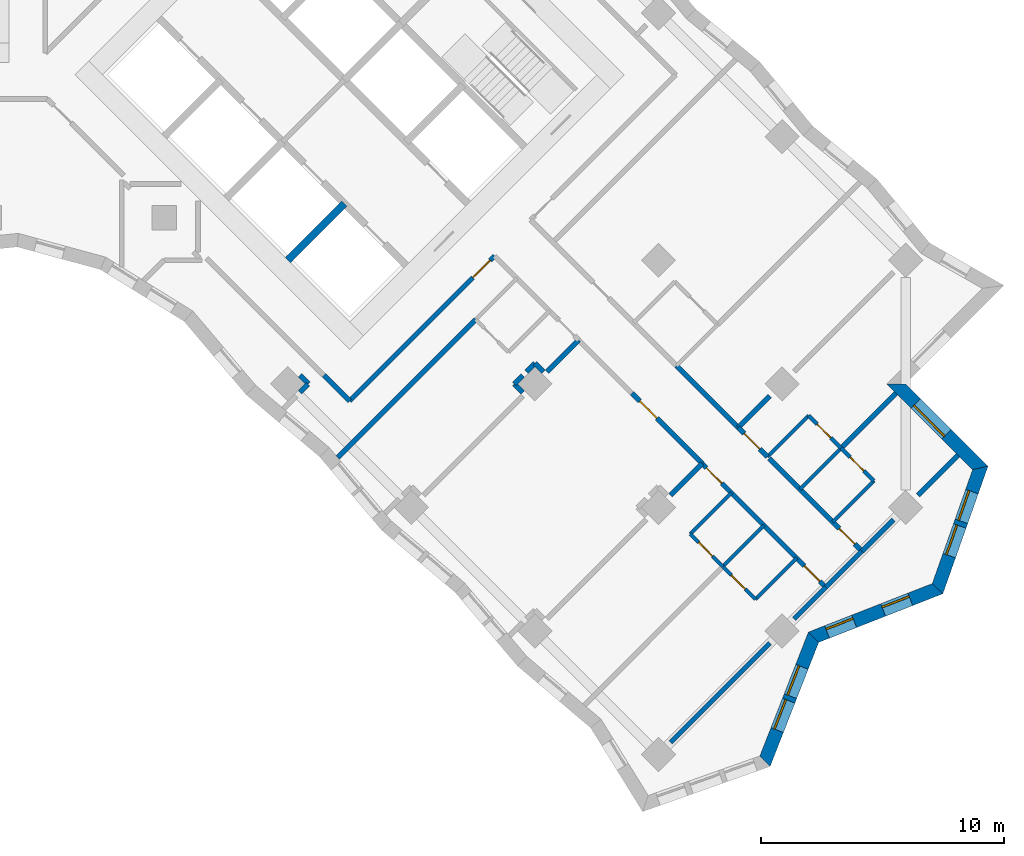
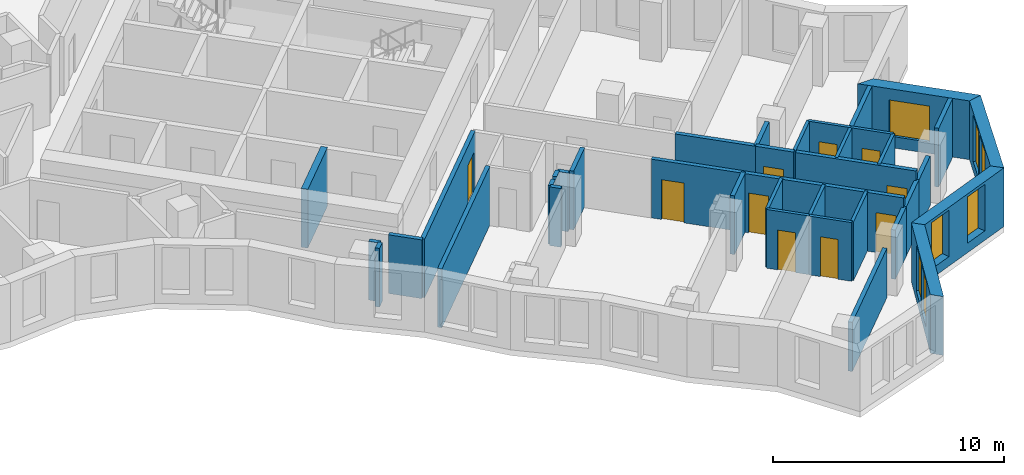
# One storey, part 8 of 12: 38 walls, 10 doors, 7 windows, 17 openings.
"""IFC4 building model written with IfcOpenShell, lengths in metres."""

import ifcopenshell
import ifcopenshell.guid

model = None  # the IFC model being written
_history = None  # IfcOwnerHistory: only IFC2X3 demands one
_inside = {}  # id of a spatial element -> (the spatial element, [elements in it])
_under = {}  # id of a project, library or spatial element -> (it, [spatial elements below it])
_declared = {}  # id of a project -> (the project, [libraries it declares])
_typed = {}  # id of a type object -> (the type object, [elements of that type])
_made_of = {}  # id of a material, layer set ... -> (it, [elements and type objects made of it])


def new_model(schema):
    """Start an empty IFC model of exactly this schema.

    Asked for "IFC4X3", IfcOpenShell would pick the latest addendum, in which some entities
    have other attributes; the version numbers below select the first issue.
    IFC2X3 requires an IfcOwnerHistory on every rooted entity: one is made here for all.
    """
    global model, _history
    if schema == "IFC4X3":
        model = ifcopenshell.file(schema_version=(4, 3, 0, 0))
    else:
        model = ifcopenshell.file(schema=schema)
    _inside.clear()
    _under.clear()
    _declared.clear()
    _typed.clear()
    _made_of.clear()
    _history = None
    if model.schema == "IFC2X3":
        org = make("IfcOrganization", Name="unknown")
        user = make(
            "IfcPersonAndOrganization",
            ThePerson=make("IfcPerson", FamilyName="unknown"),
            TheOrganization=org,
        )
        app = make(
            "IfcApplication",
            ApplicationDeveloper=org,
            Version="unknown",
            ApplicationFullName="unknown",
            ApplicationIdentifier="unknown",
        )
        _history = make(
            "IfcOwnerHistory",
            OwningUser=user,
            OwningApplication=app,
            ChangeAction="ADDED",
            CreationDate=0,
        )
    return model


def make(cls, **values):
    """One entity of the class cls with the attributes given. An attribute that is None is left unset."""
    return model.create_entity(
        cls, **{name: value for name, value in values.items() if value is not None}
    )


def rooted(cls, **values):
    """An entity with a GlobalId (a new one), such as an element, a storey or a relation."""
    return make(cls, GlobalId=ifcopenshell.guid.new(), OwnerHistory=_history, **values)


def si_unit(unit_type, name, prefix=None):
    """IfcSIUnit, for example si_unit("LENGTHUNIT", "METRE", prefix="MILLI")."""
    return make("IfcSIUnit", UnitType=unit_type, Prefix=prefix, Name=name)


def assignment(units):
    """IfcUnitAssignment: the units of a project."""
    return None if units is None else make("IfcUnitAssignment", Units=units)


def point(xyz):
    """IfcCartesianPoint."""
    return None if xyz is None else make("IfcCartesianPoint", Coordinates=xyz)


def direction(xyz):
    """IfcDirection."""
    return None if xyz is None else make("IfcDirection", DirectionRatios=xyz)


def frame(location, z_axis=None, x_axis=None):
    """IfcAxis2Placement3D, a coordinate frame: its origin and axes. An axis left out is left unset."""
    return make(
        "IfcAxis2Placement3D",
        Location=point(location),
        Axis=direction(z_axis),
        RefDirection=direction(x_axis),
    )


def frame_2d(location, x_axis=None):
    """IfcAxis2Placement2D, a coordinate frame in the plane: its origin and x axis."""
    return make(
        "IfcAxis2Placement2D", Location=point(location), RefDirection=direction(x_axis)
    )


def origin():
    """The frame at (0, 0, 0) with its axes left unset."""
    return frame((0.0, 0.0, 0.0))


def place(relative_to, where):
    """IfcLocalPlacement: puts the frame where relative to a parent placement (None: the world)."""
    return make(
        "IfcLocalPlacement", PlacementRelTo=relative_to, RelativePlacement=where
    )


def context(
    kind, dimensions, precision=None, world=None, true_north=None, identifier=None
):
    """IfcGeometricRepresentationContext, for example the 3D "Model" context."""
    return make(
        "IfcGeometricRepresentationContext",
        ContextIdentifier=identifier,
        ContextType=kind,
        CoordinateSpaceDimension=dimensions,
        Precision=precision,
        WorldCoordinateSystem=world,
        TrueNorth=true_north,
    )


def subcontext(parent, identifier, kind, view, scale=None):
    """IfcGeometricRepresentationSubContext, for example "Body" below "Model"."""
    return make(
        "IfcGeometricRepresentationSubContext",
        ContextIdentifier=identifier,
        ContextType=kind,
        ParentContext=parent,
        TargetScale=scale,
        TargetView=view,
    )


def project(units=None, contexts=None):
    """IfcProject with its units and contexts."""
    return rooted(
        "IfcProject",
        Name="project",
        RepresentationContexts=contexts,
        UnitsInContext=assignment(units),
    )


def spatial(cls, under=None, at=None, **own):
    """A site, building, storey or space (cls), placed at a placement, below another one or the project."""
    s = rooted(cls, ObjectPlacement=at, **own)
    if under is not None:
        _under.setdefault(under.id(), (under, []))[1].append(s)
    return s


def polyline(points):
    """IfcPolyline through the points."""
    return make("IfcPolyline", Points=[point(p) for p in points])


def profile(cls, at=None, kind="AREA", **sizes):
    """A parametric profile (cls). Its sizes go by their IFC names, for example OverallWidth=200.0."""
    return make(cls, ProfileType=kind, Position=at, **sizes)


def rectangle(**sizes):
    """IfcRectangleProfileDef."""
    return profile("IfcRectangleProfileDef", **sizes)


def outline(outer, holes=None, kind="AREA"):
    """IfcArbitraryClosedProfileDef: a profile drawn as a closed curve; with holes, ...WithVoids."""
    if holes is None:
        return make("IfcArbitraryClosedProfileDef", ProfileType=kind, OuterCurve=outer)
    return make(
        "IfcArbitraryProfileDefWithVoids",
        ProfileType=kind,
        OuterCurve=outer,
        InnerCurves=holes,
    )


def extrude(swept, where, along, depth):
    """IfcExtrudedAreaSolid: the profile swept, set in the frame where, extruded along a direction by depth."""
    return make(
        "IfcExtrudedAreaSolid",
        SweptArea=swept,
        Position=where,
        ExtrudedDirection=direction(along),
        Depth=depth,
    )


def shape(context_of_items, identifier, shape_type, items):
    """IfcShapeRepresentation: the items that make up one representation, for example the "Body"."""
    return make(
        "IfcShapeRepresentation",
        ContextOfItems=context_of_items,
        RepresentationIdentifier=identifier,
        RepresentationType=shape_type,
        Items=items,
    )


def material(Name=None, Category=None):
    """IfcMaterial."""
    return make("IfcMaterial", Name=Name, Category=Category)


def layer(
    of_material, thickness, ventilated=None, Name=None, Category=None, Priority=None
):
    """IfcMaterialLayer: one layer of a wall or slab, of a material (None: an air gap)."""
    return make(
        "IfcMaterialLayer",
        Material=of_material,
        LayerThickness=thickness,
        IsVentilated=ventilated,
        Name=Name,
        Category=Category,
        Priority=Priority,
    )


def layer_set(layers, Name=None):
    """IfcMaterialLayerSet."""
    return make("IfcMaterialLayerSet", MaterialLayers=layers, LayerSetName=Name)


def made_of(thing, what):
    """Note that an element or type object is made of a material, layer set ...; save() writes the relation."""
    if what is not None:
        _made_of.setdefault(what.id(), (what, []))[1].append(thing)
    return thing


def type_object(cls, material=None, **own):
    """A type object (cls), such as IfcWallType, which elements share."""
    return made_of(rooted(cls, **own), material)


def element(
    cls,
    number,
    at=None,
    inside=None,
    cuts=None,
    type_object=None,
    material=None,
    context=None,
    identifier="Body",
    shape_type=None,
    held_by="IfcProductDefinitionShape",
    body=None,
    shapes=None,
    **own,
):
    """One element of the class cls, such as IfcWall. Its Tag is "e" and its number.

    at: its placement. inside: the storey or other place that contains it. cuts: it is an
    opening in that element (IfcRelVoidsElement). A single representation is given by context,
    identifier, shape_type and body (its items); several are given by shapes. held_by: the class
    of the entity that holds the representations. save() writes the other relations.
    """
    e = rooted(cls, Tag="e%d" % number, ObjectPlacement=at, **own)
    if body is not None:
        shapes = [shape(context, identifier, shape_type, body)]
    if shapes is not None:
        e.Representation = make(held_by, Representations=shapes)
    if inside is not None:
        _inside.setdefault(inside.id(), (inside, []))[1].append(e)
    if cuts is not None:
        rooted(
            "IfcRelVoidsElement", RelatingBuildingElement=cuts, RelatedOpeningElement=e
        )
    if type_object is not None:
        _typed.setdefault(type_object.id(), (type_object, []))[1].append(e)
    return made_of(e, material)


def fill(opening, filler):
    """IfcRelFillsElement: the door or window that sits in an opening."""
    return rooted(
        "IfcRelFillsElement",
        RelatingOpeningElement=opening,
        RelatedBuildingElement=filler,
    )


def aggregate(whole, parts):
    """IfcRelAggregates: a whole, such as a stair, and the parts it consists of."""
    return rooted("IfcRelAggregates", RelatingObject=whole, RelatedObjects=parts)


def save(model, path):
    """Write the relations noted so far, then the file.

    IfcRelAggregates (storeys below a building ...), IfcRelContainedInSpatialStructure (elements
    in a storey), IfcRelDefinesByType, IfcRelAssociatesMaterial and IfcRelDeclares: one each for
    every whole, place, type object, material and project.
    """
    for whole, parts in _under.values():
        aggregate(whole, parts)
    for where, things in _inside.values():
        rooted(
            "IfcRelContainedInSpatialStructure",
            RelatedElements=things,
            RelatingStructure=where,
        )
    for kind, things in _typed.values():
        rooted("IfcRelDefinesByType", RelatedObjects=things, RelatingType=kind)
    for what, things in _made_of.values():
        rooted("IfcRelAssociatesMaterial", RelatedObjects=things, RelatingMaterial=what)
    for by, libraries in _declared.values():
        rooted("IfcRelDeclares", RelatingContext=by, RelatedDefinitions=libraries)
    model.write(path)


model = new_model("IFC4")

# Units and contexts
model_context = context("Model", 3, precision=1e-05, world=origin(), true_north=direction((0.0, 1.0)))
body_context = subcontext(model_context, "Body", "Model", "MODEL_VIEW")
ifc_project = project(units=[si_unit("LENGTHUNIT", "METRE"), si_unit("AREAUNIT", "SQUARE_METRE"), si_unit("VOLUMEUNIT", "CUBIC_METRE"), si_unit("PLANEANGLEUNIT", "RADIAN"), si_unit("MASSUNIT", "GRAM", prefix="KILO")], contexts=[model_context])

# Site, building, storey
site_placement = place(None, origin())
site = spatial("IfcSite", under=ifc_project, at=site_placement, CompositionType="ELEMENT")
building_placement = place(site_placement, origin())
building = spatial("IfcBuilding", under=site, at=building_placement, Name="Windrow Commons", CompositionType="ELEMENT")
storey_placement = place(building_placement, frame((0.0, 0.0, 84.6)))
storey = spatial("IfcBuildingStorey", under=building, at=storey_placement, Name="L22", CompositionType="ELEMENT", Elevation=84.6)

# Wall, openings, windows
ifc_material_1 = material(Name="Brick masonry, red clay brick", Category="masonry")
ifc_layer_1 = layer(ifc_material_1, 0.55)
ifc_layer_set_1 = layer_set([ifc_layer_1], Name="Brick facade wall 550")
wall_type_1 = type_object("IfcWallType", Name="Brick facade wall 550", PredefinedType="SOLIDWALL", material=ifc_layer_set_1)
wall_1_placement = place(storey_placement, frame((103.9524, 20.8124, 0.0), z_axis=(0.0, 0.0, 1.0), x_axis=(0.3646659578, 0.9311384103, 0.0)))
wall_1 = element("IfcWall", 1, at=wall_1_placement, inside=storey, type_object=wall_type_1, Name="Brick facade wall L22 2", PredefinedType="SOLIDWALL", context=body_context, shape_type="SweptSolid", body=[
    extrude(outline(polyline([(-0.1256, -0.275), (5.3667, -0.275), (5.6071, 0.275), (0.1256, 0.275), (-0.1256, -0.275)])), origin(), (0.0, 0.0, 1.0), 3.1),
])
opening_1_placement = place(wall_1_placement, frame((1.379, 0.0, 0.5)))
opening_1 = element("IfcOpeningElement", 2, at=opening_1_placement, cuts=wall_1, Name="Opening W1P", PredefinedType="OPENING", context=body_context, shape_type="SweptSolid", body=[
    extrude(rectangle(XDim=1.3, YDim=2.45, at=frame_2d((0.65, 1.225))), frame((0.0, 0.285, 0.0), z_axis=(0.0, -1.0, 0.0), x_axis=(1.0, 0.0, 0.0)), (0.0, 0.0, 1.0), 0.57),
])
opening_2_placement = place(wall_1_placement, frame((2.879, 0.0, 0.5)))
opening_2 = element("IfcOpeningElement", 3, at=opening_2_placement, cuts=wall_1, Name="Opening W1P", PredefinedType="OPENING", context=body_context, shape_type="SweptSolid", body=[
    extrude(rectangle(XDim=1.3, YDim=2.45, at=frame_2d((0.65, 1.225))), frame((0.0, 0.285, 0.0), z_axis=(0.0, -1.0, 0.0), x_axis=(1.0, 0.0, 0.0)), (0.0, 0.0, 1.0), 0.57),
])
ifc_material_2 = material(Name="Clear float glass in anodised aluminium frame", Category="aluminium")
window_type_1 = type_object("IfcWindowType", Name="Window W1P pair 1300x2450", PartitioningType="SINGLE_PANEL", PredefinedType="WINDOW", material=ifc_material_2)
window_1_placement = place(opening_1_placement, origin())
window_1 = element("IfcWindow", 4, at=window_1_placement, inside=storey, type_object=window_type_1, Name="Window L22 2.1A", OverallHeight=2.45, OverallWidth=1.3, PartitioningType="SINGLE_PANEL", PredefinedType="WINDOW", context=body_context, shape_type="SweptSolid", body=[
    extrude(rectangle(XDim=1.3, YDim=2.45, at=frame_2d((0.65, 1.225))), frame((0.0, 0.155, 0.0), z_axis=(0.0, -1.0, 0.0), x_axis=(1.0, 0.0, 0.0)), (0.0, 0.0, 1.0), 0.06),
])
fill(opening_1, window_1)
window_2_placement = place(opening_2_placement, origin())
window_2 = element("IfcWindow", 5, at=window_2_placement, inside=storey, type_object=window_type_1, Name="Window L22 2.1B", OverallHeight=2.45, OverallWidth=1.3, PartitioningType="SINGLE_PANEL", PredefinedType="WINDOW", context=body_context, shape_type="SweptSolid", body=[
    extrude(rectangle(XDim=1.3, YDim=2.45, at=frame_2d((0.65, 1.225))), frame((0.0, 0.155, 0.0), z_axis=(0.0, -1.0, 0.0), x_axis=(1.0, 0.0, 0.0)), (0.0, 0.0, 1.0), 0.06),
])
fill(opening_2, window_2)

wall_2_placement = place(storey_placement, frame((105.9533, 25.9215, 0.0), z_axis=(0.0, 0.0, 1.0), x_axis=(0.9311384103, 0.3646659578, 0.0)))
wall_2 = element("IfcWall", 6, at=wall_2_placement, inside=storey, type_object=wall_type_1, Name="Brick facade wall L22 3", PredefinedType="SOLIDWALL", context=body_context, shape_type="SweptSolid", body=[
    extrude(outline(polyline([(0.1202, -0.275), (5.6126, -0.275), (5.3613, 0.275), (-0.1202, 0.275), (0.1202, -0.275)])), origin(), (0.0, 0.0, 1.0), 3.1),
])
opening_3_placement = place(wall_2_placement, frame((0.599, 0.0, 0.5)))
opening_3 = element("IfcOpeningElement", 7, at=opening_3_placement, cuts=wall_2, Name="Opening W7D", PredefinedType="OPENING", context=body_context, shape_type="SweptSolid", body=[
    extrude(rectangle(XDim=1.2, YDim=2.45, at=frame_2d((0.6, 1.225))), frame((0.0, 0.285, 0.0), z_axis=(0.0, -1.0, 0.0), x_axis=(1.0, 0.0, 0.0)), (0.0, 0.0, 1.0), 0.57),
])
opening_4_placement = place(wall_2_placement, frame((3.0797, 0.0, 0.5)))
opening_4 = element("IfcOpeningElement", 8, at=opening_4_placement, cuts=wall_2, Name="Opening W7D", PredefinedType="OPENING", context=body_context, shape_type="SweptSolid", body=[
    extrude(rectangle(XDim=1.2, YDim=2.45, at=frame_2d((0.6, 1.225))), frame((0.0, 0.285, 0.0), z_axis=(0.0, -1.0, 0.0), x_axis=(1.0, 0.0, 0.0)), (0.0, 0.0, 1.0), 0.57),
])
ifc_material_3 = material(Name="Clear float glass in anodised aluminium frame", Category="aluminium")
window_type_2 = type_object("IfcWindowType", Name="Window W7 notch 1200x2450", PartitioningType="SINGLE_PANEL", PredefinedType="WINDOW", material=ifc_material_3)
window_3_placement = place(opening_3_placement, origin())
window_3 = element("IfcWindow", 9, at=window_3_placement, inside=storey, type_object=window_type_2, Name="Window L22 3.1", OverallHeight=2.45, OverallWidth=1.2, PartitioningType="SINGLE_PANEL", PredefinedType="WINDOW", context=body_context, shape_type="SweptSolid", body=[
    extrude(rectangle(XDim=1.2, YDim=2.45, at=frame_2d((0.6, 1.225))), frame((0.0, 0.155, 0.0), z_axis=(0.0, -1.0, 0.0), x_axis=(1.0, 0.0, 0.0)), (0.0, 0.0, 1.0), 0.06),
])
fill(opening_3, window_3)
window_4_placement = place(opening_4_placement, origin())
window_4 = element("IfcWindow", 10, at=window_4_placement, inside=storey, type_object=window_type_2, Name="Window L22 3.2", OverallHeight=2.45, OverallWidth=1.2, PartitioningType="SINGLE_PANEL", PredefinedType="WINDOW", context=body_context, shape_type="SweptSolid", body=[
    extrude(rectangle(XDim=1.2, YDim=2.45, at=frame_2d((0.6, 1.225))), frame((0.0, 0.155, 0.0), z_axis=(0.0, -1.0, 0.0), x_axis=(1.0, 0.0, 0.0)), (0.0, 0.0, 1.0), 0.06),
])
fill(opening_4, window_4)

wall_3_placement = place(storey_placement, frame((111.0624, 27.9224, 0.0), z_axis=(0.0, 0.0, 1.0), x_axis=(0.3338559134, 0.9426241187, 0.0)))
wall_3 = element("IfcWall", 11, at=wall_3_placement, inside=storey, type_object=wall_type_1, Name="Brick facade wall L22 4", PredefinedType="SOLIDWALL", context=body_context, shape_type="SweptSolid", body=[
    extrude(outline(polyline([(-0.1256, -0.275), (5.4498, -0.275), (5.1028, 0.275), (0.1256, 0.275), (-0.1256, -0.275)])), origin(), (0.0, 0.0, 1.0), 3.1),
])
opening_5_placement = place(wall_3_placement, frame((1.4406, 0.0, 0.5)))
opening_5 = element("IfcOpeningElement", 12, at=opening_5_placement, cuts=wall_3, Name="Opening W1P", PredefinedType="OPENING", context=body_context, shape_type="SweptSolid", body=[
    extrude(rectangle(XDim=1.3, YDim=2.45, at=frame_2d((0.65, 1.225))), frame((0.0, 0.285, 0.0), z_axis=(0.0, -1.0, 0.0), x_axis=(1.0, 0.0, 0.0)), (0.0, 0.0, 1.0), 0.57),
])
opening_6_placement = place(wall_3_placement, frame((2.9406, 0.0, 0.5)))
opening_6 = element("IfcOpeningElement", 13, at=opening_6_placement, cuts=wall_3, Name="Opening W1P", PredefinedType="OPENING", context=body_context, shape_type="SweptSolid", body=[
    extrude(rectangle(XDim=1.3, YDim=2.45, at=frame_2d((0.65, 1.225))), frame((0.0, 0.285, 0.0), z_axis=(0.0, -1.0, 0.0), x_axis=(1.0, 0.0, 0.0)), (0.0, 0.0, 1.0), 0.57),
])
window_5_placement = place(opening_5_placement, origin())
window_5 = element("IfcWindow", 14, at=window_5_placement, inside=storey, type_object=window_type_1, Name="Window L22 4.1A", OverallHeight=2.45, OverallWidth=1.3, PartitioningType="SINGLE_PANEL", PredefinedType="WINDOW", context=body_context, shape_type="SweptSolid", body=[
    extrude(rectangle(XDim=1.3, YDim=2.45, at=frame_2d((0.65, 1.225))), frame((0.0, 0.155, 0.0), z_axis=(0.0, -1.0, 0.0), x_axis=(1.0, 0.0, 0.0)), (0.0, 0.0, 1.0), 0.06),
])
fill(opening_5, window_5)
window_6_placement = place(opening_6_placement, origin())
window_6 = element("IfcWindow", 15, at=window_6_placement, inside=storey, type_object=window_type_1, Name="Window L22 4.1B", OverallHeight=2.45, OverallWidth=1.3, PartitioningType="SINGLE_PANEL", PredefinedType="WINDOW", context=body_context, shape_type="SweptSolid", body=[
    extrude(rectangle(XDim=1.3, YDim=2.45, at=frame_2d((0.65, 1.225))), frame((0.0, 0.155, 0.0), z_axis=(0.0, -1.0, 0.0), x_axis=(1.0, 0.0, 0.0)), (0.0, 0.0, 1.0), 0.06),
])
fill(opening_6, window_6)

# Wall, opening, window
wall_4_placement = place(storey_placement, frame((112.8239, 32.8959, 0.0), z_axis=(0.0, 0.0, 1.0), x_axis=(-0.7070965801, 0.7071169822, 0.0)))
wall_4 = element("IfcWall", 16, at=wall_4_placement, inside=storey, type_object=wall_type_1, Name="Brick facade wall L22 5", PredefinedType="SOLIDWALL", context=body_context, shape_type="SweptSolid", body=[
    extrude(outline(polyline([(-0.1735, -0.275), (4.6265, -0.275), (5.1765, 0.275), (0.1735, 0.275), (-0.1735, -0.275)])), origin(), (0.0, 0.0, 1.0), 3.1),
])
opening_7_placement = place(wall_4_placement, frame((1.964, 0.0, 0.6)))
opening_7 = element("IfcOpeningElement", 17, at=opening_7_placement, cuts=wall_4, Name="Opening W1L", PredefinedType="OPENING", context=body_context, shape_type="SweptSolid", body=[
    extrude(rectangle(XDim=1.8, YDim=1.9, at=frame_2d((0.9, 0.95))), frame((0.0, 0.285, 0.0), z_axis=(0.0, -1.0, 0.0), x_axis=(1.0, 0.0, 0.0)), (0.0, 0.0, 1.0), 0.57),
])
ifc_material_4 = material(Name="Clear float glass in anodised aluminium frame", Category="aluminium")
window_type_3 = type_object("IfcWindowType", Name="Window W1L bedroom 1800x1900", PartitioningType="SINGLE_PANEL", PredefinedType="WINDOW", material=ifc_material_4)
window_7_placement = place(opening_7_placement, origin())
window_7 = element("IfcWindow", 18, at=window_7_placement, inside=storey, type_object=window_type_3, Name="Window L22 5.1", OverallHeight=1.9, OverallWidth=1.8, PartitioningType="SINGLE_PANEL", PredefinedType="WINDOW", context=body_context, shape_type="SweptSolid", body=[
    extrude(rectangle(XDim=1.8, YDim=1.9, at=frame_2d((0.9, 0.95))), frame((0.0, 0.155, 0.0), z_axis=(0.0, -1.0, 0.0), x_axis=(1.0, 0.0, 0.0)), (0.0, 0.0, 1.0), 0.06),
])
fill(opening_7, window_7)

# Wall, opening, door
ifc_material_5 = material(Name="Blockwork partition", Category="masonry")
ifc_layer_2 = layer(ifc_material_5, 0.2)
ifc_layer_set_2 = layer_set([ifc_layer_2], Name="IW-CORRIDOR-200")
wall_type_2 = type_object("IfcWallType", Name="IW-CORRIDOR-200", PredefinedType="PARTITIONING", material=ifc_layer_set_2)
wall_5_placement = place(storey_placement, frame((86.8352, 35.6548, 0.0), z_axis=(0.0, 0.0, 1.0), x_axis=(0.7071067812, 0.7071067812, 0.0)))
wall_5 = element("IfcWall", 19, at=wall_5_placement, inside=storey, type_object=wall_type_2, Name="W-L22-W009", PredefinedType="PARTITIONING", context=body_context, shape_type="SweptSolid", body=[
    extrude(rectangle(XDim=8.4513, YDim=0.2, at=frame_2d((4.2256, 0.0))), origin(), (0.0, 0.0, 1.0), 3.1),
])
opening_8_placement = place(wall_5_placement, frame((7.1918, 0.0, 0.0)))
opening_8 = element("IfcOpeningElement", 20, at=opening_8_placement, cuts=wall_5, Name="Opening D310F", PredefinedType="OPENING", context=body_context, shape_type="SweptSolid", body=[
    extrude(rectangle(XDim=1.0, YDim=2.1, at=frame_2d((0.5, 1.05))), frame((0.0, 0.11, 0.0), z_axis=(0.0, -1.0, 0.0), x_axis=(1.0, 0.0, 0.0)), (0.0, 0.0, 1.0), 0.22),
])
ifc_material_6 = material(Name="Timber door leaf", Category="wood")
door_type_1 = type_object("IfcDoorType", Name="DT-AMENITY-1000", OperationType="SINGLE_SWING_LEFT", PredefinedType="DOOR", material=ifc_material_6)
door_1_placement = place(opening_8_placement, origin())
door_1 = element("IfcDoor", 21, at=door_1_placement, inside=storey, type_object=door_type_1, Name="D-L22-D047", OperationType="SINGLE_SWING_RIGHT", OverallHeight=2.1, OverallWidth=1.0, PredefinedType="DOOR", context=body_context, shape_type="SweptSolid", body=[
    extrude(rectangle(XDim=1.0, YDim=2.1, at=frame_2d((0.5, 1.05))), frame((0.0, 0.025, 0.0), z_axis=(0.0, -1.0, 0.0), x_axis=(1.0, 0.0, 0.0)), (0.0, 0.0, 1.0), 0.05),
])
fill(opening_8, door_1)

# Wall, openings, doors
wall_6_placement = place(storey_placement, frame((101.3646, 33.0706, 0.0), z_axis=(0.0, 0.0, 1.0), x_axis=(0.7071067812, -0.7071067812, 0.0)))
wall_6 = element("IfcWall", 22, at=wall_6_placement, inside=storey, type_object=wall_type_2, Name="W-L22-W021", PredefinedType="PARTITIONING", context=body_context, shape_type="SweptSolid", body=[
    extrude(rectangle(XDim=7.1998, YDim=0.2, at=frame_2d((3.5999, 0.0))), origin(), (0.0, 0.0, 1.0), 3.1),
])
opening_9_placement = place(wall_6_placement, frame((0.2484, 0.0, 0.0)))
opening_9 = element("IfcOpeningElement", 23, at=opening_9_placement, cuts=wall_6, Name="Opening D109S", PredefinedType="OPENING", context=body_context, shape_type="SweptSolid", body=[
    extrude(rectangle(XDim=0.9, YDim=2.1, at=frame_2d((0.45, 1.05))), frame((0.0, 0.11, 0.0), z_axis=(0.0, -1.0, 0.0), x_axis=(1.0, 0.0, 0.0)), (0.0, 0.0, 1.0), 0.22),
])
opening_10_placement = place(wall_6_placement, frame((5.95, 0.0, 0.0)))
opening_10 = element("IfcOpeningElement", 24, at=opening_10_placement, cuts=wall_6, Name="Opening D109S", PredefinedType="OPENING", context=body_context, shape_type="SweptSolid", body=[
    extrude(rectangle(XDim=0.9, YDim=2.1, at=frame_2d((0.45, 1.05))), frame((0.0, 0.11, 0.0), z_axis=(0.0, -1.0, 0.0), x_axis=(1.0, 0.0, 0.0)), (0.0, 0.0, 1.0), 0.22),
])
ifc_material_7 = material(Name="Timber door leaf", Category="wood")
door_type_2 = type_object("IfcDoorType", Name="DT-BEDROOM-900", OperationType="SINGLE_SWING_LEFT", PredefinedType="DOOR", material=ifc_material_7)
door_2_placement = place(opening_9_placement, origin())
door_2 = element("IfcDoor", 25, at=door_2_placement, inside=storey, type_object=door_type_2, Name="D-L22-D051", OperationType="SINGLE_SWING_RIGHT", OverallHeight=2.1, OverallWidth=0.9, PredefinedType="DOOR", context=body_context, shape_type="SweptSolid", body=[
    extrude(rectangle(XDim=0.9, YDim=2.1, at=frame_2d((0.45, 1.05))), frame((0.0, 0.025, 0.0), z_axis=(0.0, -1.0, 0.0), x_axis=(1.0, 0.0, 0.0)), (0.0, 0.0, 1.0), 0.05),
])
fill(opening_9, door_2)
door_3_placement = place(opening_10_placement, origin())
door_3 = element("IfcDoor", 26, at=door_3_placement, inside=storey, type_object=door_type_2, Name="D-L22-D053", OperationType="SINGLE_SWING_LEFT", OverallHeight=2.1, OverallWidth=0.9, PredefinedType="DOOR", context=body_context, shape_type="SweptSolid", body=[
    extrude(rectangle(XDim=0.9, YDim=2.1, at=frame_2d((0.45, 1.05))), frame((0.0, 0.025, 0.0), z_axis=(0.0, -1.0, 0.0), x_axis=(1.0, 0.0, 0.0)), (0.0, 0.0, 1.0), 0.05),
])
fill(opening_10, door_3)

# Wall, opening, door
wall_7_placement = place(storey_placement, frame((104.1225, 33.2825, 0.0), z_axis=(0.0, 0.0, 1.0), x_axis=(0.7071067812, -0.7071067812, 0.0)))
wall_7 = element("IfcWall", 27, at=wall_7_placement, inside=storey, type_object=wall_type_2, Name="W-L22-W035", PredefinedType="PARTITIONING", context=body_context, shape_type="SweptSolid", body=[
    extrude(rectangle(XDim=5.3995, YDim=0.2, at=frame_2d((2.6997, 0.0))), origin(), (0.0, 0.0, 1.0), 3.1),
])
opening_11_placement = place(wall_7_placement, frame((4.0797, 0.0, 0.0)))
opening_11 = element("IfcOpeningElement", 28, at=opening_11_placement, cuts=wall_7, Name="Opening D109S", PredefinedType="OPENING", context=body_context, shape_type="SweptSolid", body=[
    extrude(rectangle(XDim=0.9, YDim=2.1, at=frame_2d((0.45, 1.05))), frame((0.0, 0.11, 0.0), z_axis=(0.0, -1.0, 0.0), x_axis=(1.0, 0.0, 0.0)), (0.0, 0.0, 1.0), 0.22),
])
door_4_placement = place(opening_11_placement, origin())
door_4 = element("IfcDoor", 29, at=door_4_placement, inside=storey, type_object=door_type_2, Name="D-L22-D055", OperationType="SINGLE_SWING_RIGHT", OverallHeight=2.1, OverallWidth=0.9, PredefinedType="DOOR", context=body_context, shape_type="SweptSolid", body=[
    extrude(rectangle(XDim=0.9, YDim=2.1, at=frame_2d((0.45, 1.05))), frame((0.0, 0.025, 0.0), z_axis=(0.0, -1.0, 0.0), x_axis=(1.0, 0.0, 0.0)), (0.0, 0.0, 1.0), 0.05),
])
fill(opening_11, door_4)

wall_8_placement = place(storey_placement, frame((98.4693, 35.9733, 0.0), z_axis=(0.0, 0.0, 1.0), x_axis=(0.7073506531, -0.7068628251, 0.0)))
wall_8 = element("IfcWall", 30, at=wall_8_placement, inside=storey, type_object=wall_type_2, Name="W-L22-W050", PredefinedType="PARTITIONING", context=body_context, shape_type="SweptSolid", body=[
    extrude(rectangle(XDim=4.0998, YDim=0.2, at=frame_2d((2.0499, 0.0))), origin(), (0.0, 0.0, 1.0), 3.1),
])
opening_12_placement = place(wall_8_placement, frame((0.4573, 0.0, 0.0)))
opening_12 = element("IfcOpeningElement", 31, at=opening_12_placement, cuts=wall_8, Name="Opening D310F", PredefinedType="OPENING", context=body_context, shape_type="SweptSolid", body=[
    extrude(rectangle(XDim=1.0, YDim=2.1, at=frame_2d((0.5, 1.05))), frame((0.0, 0.11, 0.0), z_axis=(0.0, -1.0, 0.0), x_axis=(1.0, 0.0, 0.0)), (0.0, 0.0, 1.0), 0.22),
])
door_5_placement = place(opening_12_placement, origin())
door_5 = element("IfcDoor", 32, at=door_5_placement, inside=storey, type_object=door_type_1, Name="D-L22-D050", OperationType="SINGLE_SWING_RIGHT", OverallHeight=2.1, OverallWidth=1.0, PredefinedType="DOOR", context=body_context, shape_type="SweptSolid", body=[
    extrude(rectangle(XDim=1.0, YDim=2.1, at=frame_2d((0.5, 1.05))), frame((0.0, 0.025, 0.0), z_axis=(0.0, -1.0, 0.0), x_axis=(1.0, 0.0, 0.0)), (0.0, 0.0, 1.0), 0.05),
])
fill(opening_12, door_5)

# Walls
wall_9_placement = place(storey_placement, frame((100.3098, 37.1058, 0.0), z_axis=(0.0, 0.0, 1.0), x_axis=(0.7073845681, -0.7068288851, 0.0)))
element("IfcWall", 33, at=wall_9_placement, inside=storey, type_object=wall_type_2, Name="W-L22-W058", PredefinedType="PARTITIONING", context=body_context, shape_type="SweptSolid", body=[
    extrude(rectangle(XDim=3.5992, YDim=0.2, at=frame_2d((1.7996, 0.0))), origin(), (0.0, 0.0, 1.0), 3.1),
])
wall_10_placement = place(storey_placement, frame((106.4574, 27.9826, 0.0), z_axis=(0.0, 0.0, 1.0), x_axis=(0.7071067812, 0.7071067812, 0.0)))
element("IfcWall", 34, at=wall_10_placement, inside=storey, type_object=wall_type_2, Name="W-L22-W101", PredefinedType="PARTITIONING", context=body_context, shape_type="SweptSolid", body=[
    extrude(rectangle(XDim=2.1015, YDim=0.2, at=frame_2d((1.0508, 0.0))), origin(), (0.0, 0.0, 1.0), 2.6),
])

# Wall, opening, door
wall_11_placement = place(storey_placement, frame((102.8566, 34.5626, 0.0), z_axis=(0.0, 0.0, 1.0), x_axis=(0.7071067812, -0.7071067812, 0.0)))
wall_11 = element("IfcWall", 35, at=wall_11_placement, inside=storey, type_object=wall_type_2, Name="W-L22-W140", PredefinedType="PARTITIONING", context=body_context, shape_type="SweptSolid", body=[
    extrude(rectangle(XDim=1.6999, YDim=0.2, at=frame_2d((0.8499, 0.0))), origin(), (0.0, 0.0, 1.0), 3.1),
])
opening_13_placement = place(wall_11_placement, frame((0.35, 0.0, 0.0)))
opening_13 = element("IfcOpeningElement", 36, at=opening_13_placement, cuts=wall_11, Name="Opening D109S", PredefinedType="OPENING", context=body_context, shape_type="SweptSolid", body=[
    extrude(rectangle(XDim=0.9, YDim=2.1, at=frame_2d((0.45, 1.05))), frame((0.0, 0.11, 0.0), z_axis=(0.0, -1.0, 0.0), x_axis=(1.0, 0.0, 0.0)), (0.0, 0.0, 1.0), 0.22),
])
door_6_placement = place(opening_13_placement, origin())
door_6 = element("IfcDoor", 37, at=door_6_placement, inside=storey, type_object=door_type_2, Name="D-L22-D045", OperationType="SINGLE_SWING_LEFT", OverallHeight=2.1, OverallWidth=0.9, PredefinedType="DOOR", context=body_context, shape_type="SweptSolid", body=[
    extrude(rectangle(XDim=0.9, YDim=2.1, at=frame_2d((0.45, 1.05))), frame((0.0, 0.025, 0.0), z_axis=(0.0, -1.0, 0.0), x_axis=(1.0, 0.0, 0.0)), (0.0, 0.0, 1.0), 0.05),
])
fill(opening_13, door_6)

# Walls
wall_12_placement = place(storey_placement, frame((85.7777, 36.7177, 0.0), z_axis=(0.0, 0.0, 1.0), x_axis=(0.7064400143, -0.70777292, 0.0)))
element("IfcWall", 38, at=wall_12_placement, inside=storey, type_object=wall_type_2, Name="W-L22-W145", PredefinedType="PARTITIONING", context=body_context, shape_type="SweptSolid", body=[
    extrude(rectangle(XDim=1.5005, YDim=0.2, at=frame_2d((0.7502, 0.0))), origin(), (0.0, 0.0, 1.0), 3.1),
])
ifc_material_8 = material(Name="Blockwork partition", Category="masonry")
ifc_layer_3 = layer(ifc_material_8, 0.15)
ifc_layer_set_3 = layer_set([ifc_layer_3], Name="IW-ENSUITE-150")
wall_type_3 = type_object("IfcWallType", Name="IW-ENSUITE-150", PredefinedType="PARTITIONING", material=ifc_layer_set_3)
wall_13_placement = place(storey_placement, frame((100.8713, 30.1747, 0.0), z_axis=(0.0, 0.0, 1.0), x_axis=(0.7071067812, 0.7071067812, 0.0)))
element("IfcWall", 39, at=wall_13_placement, inside=storey, type_object=wall_type_3, Name="W-L22-W070", PredefinedType="PARTITIONING", context=body_context, shape_type="SweptSolid", body=[
    extrude(rectangle(XDim=2.4013, YDim=0.15, at=frame_2d((1.2006, 0.0))), origin(), (0.0, 0.0, 1.0), 3.1),
])
wall_14_placement = place(storey_placement, frame((105.3958, 32.0162, 0.0), z_axis=(0.0, 0.0, 1.0), x_axis=(0.7075233388, 0.706689978, 0.0)))
element("IfcWall", 40, at=wall_14_placement, inside=storey, type_object=wall_type_3, Name="W-L22-W095", PredefinedType="PARTITIONING", context=body_context, shape_type="SweptSolid", body=[
    extrude(rectangle(XDim=2.3999, YDim=0.15, at=frame_2d((1.2, 0.0))), origin(), (0.0, 0.0, 1.0), 3.1),
])
for number, where, z_axis, x_axis, name in (
    (41, (102.2158, 28.8322, 0.0), (0.0, 0.0, 1.0), (0.7071067812, 0.7071067812, 0.0), "W-L22-W096"),
    (42, (104.0553, 33.3587, 0.0), (0.0, 0.0, 1.0), (0.7071067812, 0.7071067812, 0.0), "W-L22-W097"),
    (43, (103.5593, 27.4887, 0.0), (0.0, 0.0, 1.0), (0.7071067812, 0.7071067812, 0.0), "W-L22-W098"),
    (44, (106.7413, 30.6707, 0.0), (0.0, 0.0, 1.0), (0.7071067812, 0.7071067812, 0.0), "W-L22-W099"),
):
    element("IfcWall", number, at=place(storey_placement, frame(where, z_axis=z_axis, x_axis=x_axis)), inside=storey, type_object=wall_type_3, Name=name, PredefinedType="PARTITIONING", context=body_context, shape_type="SweptSolid", body=[
        extrude(rectangle(XDim=2.3985, YDim=0.15, at=frame_2d((1.1992, 0.0))), origin(), (0.0, 0.0, 1.0), 3.1),
    ])

# Wall, opening, door
wall_15_placement = place(storey_placement, frame((105.7486, 35.0506, 0.0), z_axis=(0.0, 0.0, 1.0), x_axis=(0.7071067812, -0.7071067812, 0.0)))
wall_15 = element("IfcWall", 45, at=wall_15_placement, inside=storey, type_object=wall_type_3, Name="W-L22-W123", PredefinedType="PARTITIONING", context=body_context, shape_type="SweptSolid", body=[
    extrude(rectangle(XDim=1.9007, YDim=0.15, at=frame_2d((0.9504, 0.0))), origin(), (0.0, 0.0, 1.0), 3.1),
])
opening_14_placement = place(wall_15_placement, frame((0.4932, 0.0, 0.0)))
opening_14 = element("IfcOpeningElement", 46, at=opening_14_placement, cuts=wall_15, Name="Opening D208N", PredefinedType="OPENING", context=body_context, shape_type="SweptSolid", body=[
    extrude(rectangle(XDim=0.8, YDim=2.1, at=frame_2d((0.4, 1.05))), frame((0.0, 0.085, 0.0), z_axis=(0.0, -1.0, 0.0), x_axis=(1.0, 0.0, 0.0)), (0.0, 0.0, 1.0), 0.17),
])
ifc_material_9 = material(Name="Timber door leaf", Category="wood")
door_type_3 = type_object("IfcDoorType", Name="DT-ENSUITE-800", OperationType="SINGLE_SWING_LEFT", PredefinedType="DOOR", material=ifc_material_9)
door_7_placement = place(opening_14_placement, origin())
door_7 = element("IfcDoor", 47, at=door_7_placement, inside=storey, type_object=door_type_3, Name="D-L22-D046", OperationType="SINGLE_SWING_RIGHT", OverallHeight=2.1, OverallWidth=0.8, PredefinedType="DOOR", context=body_context, shape_type="SweptSolid", body=[
    extrude(rectangle(XDim=0.8, YDim=2.1, at=frame_2d((0.4, 1.05))), frame((0.0, 0.025, 0.0), z_axis=(0.0, -1.0, 0.0), x_axis=(1.0, 0.0, 0.0)), (0.0, 0.0, 1.0), 0.05),
])
fill(opening_14, door_7)

wall_16_placement = place(storey_placement, frame((100.8746, 30.1766, 0.0), z_axis=(0.0, 0.0, 1.0), x_axis=(0.7076330979, -0.7065800724, 0.0)))
wall_16 = element("IfcWall", 48, at=wall_16_placement, inside=storey, type_object=wall_type_3, Name="W-L22-W131", PredefinedType="PARTITIONING", context=body_context, shape_type="SweptSolid", body=[
    extrude(rectangle(XDim=1.8993, YDim=0.15, at=frame_2d((0.9496, 0.0))), origin(), (0.0, 0.0, 1.0), 3.1),
])
opening_15_placement = place(wall_16_placement, frame((0.4932, 0.0, 0.0)))
opening_15 = element("IfcOpeningElement", 49, at=opening_15_placement, cuts=wall_16, Name="Opening D208N", PredefinedType="OPENING", context=body_context, shape_type="SweptSolid", body=[
    extrude(rectangle(XDim=0.8, YDim=2.1, at=frame_2d((0.4, 1.05))), frame((0.0, 0.085, 0.0), z_axis=(0.0, -1.0, 0.0), x_axis=(1.0, 0.0, 0.0)), (0.0, 0.0, 1.0), 0.17),
])
door_8_placement = place(opening_15_placement, origin())
door_8 = element("IfcDoor", 50, at=door_8_placement, inside=storey, type_object=door_type_3, Name="D-L22-D052", OperationType="SINGLE_SWING_RIGHT", OverallHeight=2.1, OverallWidth=0.8, PredefinedType="DOOR", context=body_context, shape_type="SweptSolid", body=[
    extrude(rectangle(XDim=0.8, YDim=2.1, at=frame_2d((0.4, 1.05))), frame((0.0, 0.025, 0.0), z_axis=(0.0, -1.0, 0.0), x_axis=(1.0, 0.0, 0.0)), (0.0, 0.0, 1.0), 0.05),
])
fill(opening_15, door_8)

wall_17_placement = place(storey_placement, frame((107.0935, 33.7075, 0.0), z_axis=(0.0, 0.0, 1.0), x_axis=(0.7065800724, -0.7076330979, 0.0)))
wall_17 = element("IfcWall", 51, at=wall_17_placement, inside=storey, type_object=wall_type_3, Name="W-L22-W132", PredefinedType="PARTITIONING", context=body_context, shape_type="SweptSolid", body=[
    extrude(rectangle(XDim=1.8993, YDim=0.15, at=frame_2d((0.9496, 0.0))), origin(), (0.0, 0.0, 1.0), 3.1),
])
opening_16_placement = place(wall_17_placement, frame((0.5187, 0.0, 0.0)))
opening_16 = element("IfcOpeningElement", 52, at=opening_16_placement, cuts=wall_17, Name="Opening D208N", PredefinedType="OPENING", context=body_context, shape_type="SweptSolid", body=[
    extrude(rectangle(XDim=0.8, YDim=2.1, at=frame_2d((0.4, 1.05))), frame((0.0, 0.085, 0.0), z_axis=(0.0, -1.0, 0.0), x_axis=(1.0, 0.0, 0.0)), (0.0, 0.0, 1.0), 0.17),
])
door_9_placement = place(opening_16_placement, origin())
door_9 = element("IfcDoor", 53, at=door_9_placement, inside=storey, type_object=door_type_3, Name="D-L22-D056", OperationType="SINGLE_SWING_RIGHT", OverallHeight=2.1, OverallWidth=0.8, PredefinedType="DOOR", context=body_context, shape_type="SweptSolid", body=[
    extrude(rectangle(XDim=0.8, YDim=2.1, at=frame_2d((0.4, 1.05))), frame((0.0, 0.025, 0.0), z_axis=(0.0, -1.0, 0.0), x_axis=(1.0, 0.0, 0.0)), (0.0, 0.0, 1.0), 0.05),
])
fill(opening_16, door_9)

wall_18_placement = place(storey_placement, frame((102.2145, 28.8265, 0.0), z_axis=(0.0, 0.0, 1.0), x_axis=(0.7071067812, -0.7071067812, 0.0)))
wall_18 = element("IfcWall", 54, at=wall_18_placement, inside=storey, type_object=wall_type_3, Name="W-L22-W133", PredefinedType="PARTITIONING", context=body_context, shape_type="SweptSolid", body=[
    extrude(rectangle(XDim=1.8979, YDim=0.15, at=frame_2d((0.9489, 0.0))), origin(), (0.0, 0.0, 1.0), 3.1),
])
opening_17_placement = place(wall_18_placement, frame((0.5001, 0.0, 0.0)))
opening_17 = element("IfcOpeningElement", 55, at=opening_17_placement, cuts=wall_18, Name="Opening D208N", PredefinedType="OPENING", context=body_context, shape_type="SweptSolid", body=[
    extrude(rectangle(XDim=0.8, YDim=2.1, at=frame_2d((0.4, 1.05))), frame((0.0, 0.085, 0.0), z_axis=(0.0, -1.0, 0.0), x_axis=(1.0, 0.0, 0.0)), (0.0, 0.0, 1.0), 0.17),
])
door_10_placement = place(opening_17_placement, origin())
door_10 = element("IfcDoor", 56, at=door_10_placement, inside=storey, type_object=door_type_3, Name="D-L22-D054", OperationType="SINGLE_SWING_RIGHT", OverallHeight=2.1, OverallWidth=0.8, PredefinedType="DOOR", context=body_context, shape_type="SweptSolid", body=[
    extrude(rectangle(XDim=0.8, YDim=2.1, at=frame_2d((0.4, 1.05))), frame((0.0, 0.025, 0.0), z_axis=(0.0, -1.0, 0.0), x_axis=(1.0, 0.0, 0.0)), (0.0, 0.0, 1.0), 0.05),
])
fill(opening_17, door_10)

# Walls
ifc_material_10 = material(Name="Blockwork partition", Category="masonry")
ifc_layer_4 = layer(ifc_material_10, 0.2)
ifc_layer_set_4 = layer_set([ifc_layer_4], Name="IW-PARTY-200")
wall_type_4 = type_object("IfcWallType", Name="IW-PARTY-200", PredefinedType="PARTITIONING", material=ifc_layer_set_4)
wall_19_placement = place(storey_placement, frame((86.3488, 33.323, 0.0), z_axis=(0.0, 0.0, 1.0), x_axis=(0.7069824569, 0.7072310836, 0.0)))
element("IfcWall", 57, at=wall_19_placement, inside=storey, type_object=wall_type_4, Name="W-L22-W018", PredefinedType="PARTITIONING", context=body_context, shape_type="SweptSolid", body=[
    extrude(rectangle(XDim=8.0442, YDim=0.2, at=frame_2d((4.0221, 0.0))), origin(), (0.0, 0.0, 1.0), 3.1),
])
wall_20_placement = place(storey_placement, frame((100.0634, 21.5886, 0.0), z_axis=(0.0, 0.0, 1.0), x_axis=(0.7071067812, 0.7071067812, 0.0)))
element("IfcWall", 58, at=wall_20_placement, inside=storey, type_object=wall_type_4, Name="W-L22-W031", PredefinedType="PARTITIONING", context=body_context, shape_type="SweptSolid", body=[
    extrude(rectangle(XDim=5.787, YDim=0.2, at=frame_2d((2.8935, 0.0))), origin(), (0.0, 0.0, 1.0), 2.6),
])
wall_21_placement = place(storey_placement, frame((107.0948, 33.7112, 0.0), z_axis=(0.0, 0.0, 1.0), x_axis=(0.7071067812, 0.7071067812, 0.0)))
element("IfcWall", 59, at=wall_21_placement, inside=storey, type_object=wall_type_4, Name="W-L22-W062", PredefinedType="PARTITIONING", context=body_context, shape_type="SweptSolid", body=[
    extrude(rectangle(XDim=3.1997, YDim=0.2, at=frame_2d((1.5998, 0.0))), origin(), (0.0, 0.0, 1.0), 3.1),
])
wall_22_placement = place(storey_placement, frame((110.2515, 31.7666, 0.0), z_axis=(0.0, 0.0, 1.0), x_axis=(0.7066584143, 0.7075548639, 0.0)))
element("IfcWall", 60, at=wall_22_placement, inside=storey, type_object=wall_type_4, Name="W-L22-W100", PredefinedType="PARTITIONING", context=body_context, shape_type="SweptSolid", body=[
    extrude(rectangle(XDim=2.3426, YDim=0.2, at=frame_2d((1.1713, 0.0))), origin(), (0.0, 0.0, 1.0), 3.1),
])
wall_23_placement = place(storey_placement, frame((100.0632, 31.7708, 0.0), z_axis=(0.0, 0.0, 1.0), x_axis=(0.7071067812, 0.7071067812, 0.0)))
element("IfcWall", 61, at=wall_23_placement, inside=storey, type_object=wall_type_4, Name="W-L22-W134", PredefinedType="PARTITIONING", context=body_context, shape_type="SweptSolid", body=[
    extrude(rectangle(XDim=1.8441, YDim=0.2, at=frame_2d((0.9221, 0.0))), origin(), (0.0, 0.0, 1.0), 3.1),
])
wall_24_placement = place(storey_placement, frame((107.9466, 29.4654, 0.0), z_axis=(0.0, 0.0, 1.0), x_axis=(0.7076492487, 0.7065638971, 0.0)))
element("IfcWall", 62, at=wall_24_placement, inside=storey, type_object=wall_type_4, Name="W-L22-W135", PredefinedType="PARTITIONING", context=body_context, shape_type="SweptSolid", body=[
    extrude(rectangle(XDim=1.8427, YDim=0.2, at=frame_2d((0.9214, 0.0))), origin(), (0.0, 0.0, 1.0), 2.6),
])
for number, where, z_axis, x_axis, name in (
    (63, (94.973, 36.863, 0.0), (0.0, 0.0, 1.0), (0.7071067812, 0.7071067812, 0.0), "W-L22-W136"),
    (64, (102.8532, 34.5608, 0.0), (0.0, 0.0, 1.0), (0.7071067812, 0.7071067812, 0.0), "W-L22-W137"),
):
    element("IfcWall", number, at=place(storey_placement, frame(where, z_axis=z_axis, x_axis=x_axis)), inside=storey, type_object=wall_type_4, Name=name, PredefinedType="PARTITIONING", context=body_context, shape_type="SweptSolid", body=[
        extrude(rectangle(XDim=1.8413, YDim=0.2, at=frame_2d((0.9206, 0.0))), origin(), (0.0, 0.0, 1.0), 3.1),
    ])
wall_25_placement = place(storey_placement, frame((105.1554, 26.6806, 0.0), z_axis=(0.0, 0.0, 1.0), x_axis=(0.7071067812, 0.7071067812, 0.0)))
element("IfcWall", 65, at=wall_25_placement, inside=storey, type_object=wall_type_4, Name="W-L22-W138", PredefinedType="PARTITIONING", context=body_context, shape_type="SweptSolid", body=[
    extrude(rectangle(XDim=1.8413, YDim=0.2, at=frame_2d((0.9206, 0.0))), origin(), (0.0, 0.0, 1.0), 2.6),
])
for number, where, z_axis, x_axis, name in (
    (66, (84.7916, 36.7176, 0.0), (0.0, 0.0, 1.0), (0.7071067812, -0.7071067812, 0.0), "W-L22-W163"),
    (67, (93.6208, 36.3592, 0.0), (0.0, 0.0, 1.0), (0.7071067812, 0.7071067812, 0.0), "W-L22-W165"),
):
    element("IfcWall", number, at=place(storey_placement, frame(where, z_axis=z_axis, x_axis=x_axis)), inside=storey, type_object=wall_type_4, Name=name, PredefinedType="PARTITIONING", context=body_context, shape_type="SweptSolid", body=[
        extrude(rectangle(XDim=0.4978, YDim=0.2, at=frame_2d((0.2489, 0.0))), origin(), (0.0, 0.0, 1.0), 3.1),
    ])
wall_26_placement = place(storey_placement, frame((84.7911, 36.0149, 0.0), z_axis=(0.0, 0.0, 1.0), x_axis=(0.7071067812, 0.7071067812, 0.0)))
element("IfcWall", 68, at=wall_26_placement, inside=storey, type_object=wall_type_4, Name="W-L22-W169", PredefinedType="PARTITIONING", context=body_context, shape_type="SweptSolid", body=[
    extrude(rectangle(XDim=0.4678, YDim=0.2, at=frame_2d((0.2339, 0.0))), origin(), (0.0, 0.0, 1.0), 3.1),
])
for number, where, z_axis, x_axis, name in (
    (69, (94.4778, 37.2138, 0.0), (0.0, 0.0, 1.0), (0.7071067812, -0.7071067812, 0.0), "W-L22-W170"),
    (70, (94.1248, 36.8632, 0.0), (0.0, 0.0, 1.0), (0.7071067812, 0.7071067812, 0.0), "W-L22-W172"),
    (71, (93.6222, 36.3582, 0.0), (0.0, 0.0, 1.0), (0.7071067812, -0.7071067812, 0.0), "W-L22-W174"),
):
    element("IfcWall", number, at=place(storey_placement, frame(where, z_axis=z_axis, x_axis=x_axis)), inside=storey, type_object=wall_type_4, Name=name, PredefinedType="PARTITIONING", context=body_context, shape_type="SweptSolid", body=[
        extrude(rectangle(XDim=0.4978, YDim=0.2, at=frame_2d((0.2489, 0.0))), origin(), (0.0, 0.0, 1.0), 3.1),
    ])
ifc_material_11 = material(Name="Concrete C50/60", Category="concrete")
ifc_layer_5 = layer(ifc_material_11, 0.3)
ifc_layer_set_5 = layer_set([ifc_layer_5], Name="RC SHAFT WALL 300 C50/60")
wall_type_5 = type_object("IfcWallType", Name="RC SHAFT WALL 300 C50/60", PredefinedType="SOLIDWALL", material=ifc_layer_set_5)
wall_27_placement = place(storey_placement, frame((84.2912, 41.453, 0.0), z_axis=(0.0, 0.0, 1.0), x_axis=(0.7071067812, 0.7071067812, 0.0)))
element("IfcWall", 72, at=wall_27_placement, inside=storey, type_object=wall_type_5, Name="Core B wall shaft-S3", PredefinedType="SOLIDWALL", context=body_context, shape_type="SweptSolid", body=[
    extrude(rectangle(XDim=3.2999, YDim=0.3, at=frame_2d((1.65, 0.0))), origin(), (0.0, 0.0, 1.0), 3.1),
])

save(model, "model.ifc")
